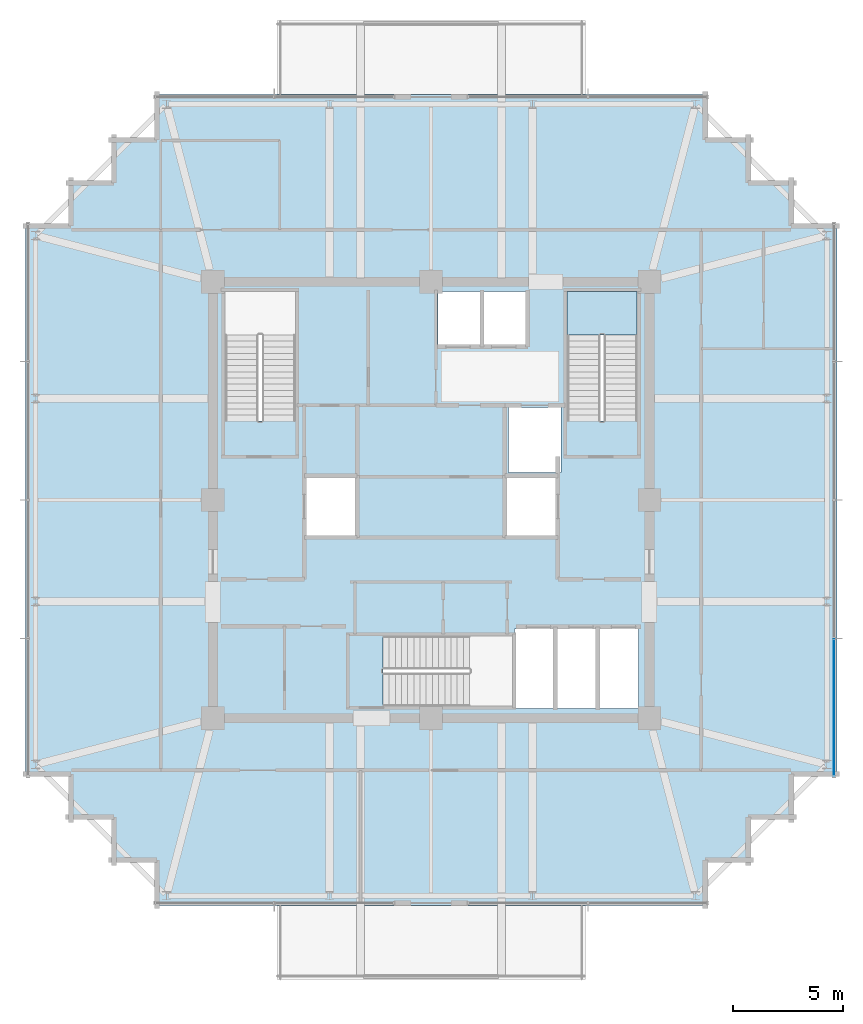
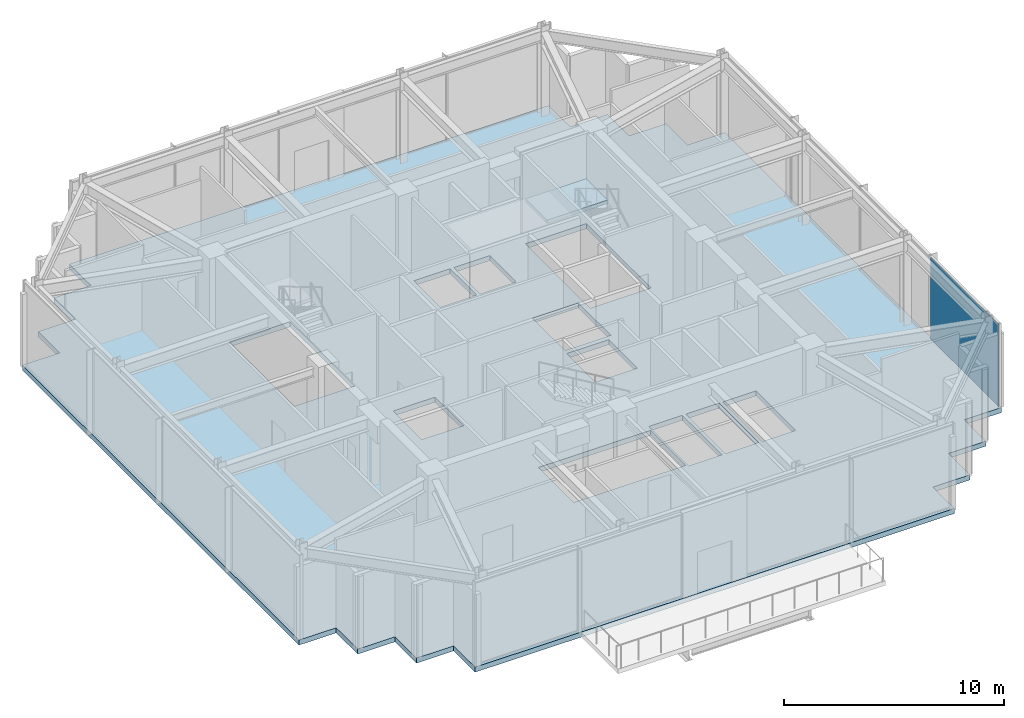
# One storey, part 24 of 31: 2 slabs, 1 plate, 2 elements without a shape of their own.
"""IFC4 building model written with IfcOpenShell, lengths in metres."""

from ifc_helpers import new_model, si_unit, direction, frame, origin, origin_2d, place, context, subcontext, project, spatial, polyline, rectangle, outline, extrude, material, layer, layer_set, type_object, element, aggregate, save


model = new_model("IFC4")

# Units and contexts
model_context = context("Model", 3, precision=1e-05, world=origin(), true_north=direction((0.0, 1.0)))
body_context = subcontext(model_context, "Body", "Model", "MODEL_VIEW")
ifc_project = project(units=[si_unit("LENGTHUNIT", "METRE"), si_unit("AREAUNIT", "SQUARE_METRE"), si_unit("VOLUMEUNIT", "CUBIC_METRE"), si_unit("PLANEANGLEUNIT", "RADIAN"), si_unit("MASSUNIT", "GRAM", prefix="KILO")], contexts=[model_context])

# Site, building, storey
site_placement = place(None, origin())
site = spatial("IfcSite", under=ifc_project, at=site_placement, CompositionType="ELEMENT")
building_placement = place(site_placement, origin())
building = spatial("IfcBuilding", under=site, at=building_placement, Name="Kolvaren Belvedere", CompositionType="ELEMENT")
storey_placement = place(building_placement, frame((0.0, 0.0, 267.39990234375)))
storey = spatial("IfcBuildingStorey", under=building, at=storey_placement, Name="L77", CompositionType="ELEMENT", Elevation=267.39990234375)

# Curtain wall, plate
ifc_material_1 = material(Name="Anodised pale-metal aluminium AA 6063-T6", Category="aluminium")
curtain_wall_type = type_object("IfcCurtainWallType", Name="CW-CRN-OBS", PredefinedType="NOTDEFINED", material=ifc_material_1)
curtain_wall_placement = place(storey_placement, origin())
curtain_wall = element("IfcCurtainWall", 1, at=curtain_wall_placement, inside=storey, type_object=curtain_wall_type, Name="L77 Unitised Curtain Wall FCW-L77-E", PredefinedType="NOTDEFINED")
ifc_material_2 = material(Name="Low-iron laminated vision glass", Category="glass")
ifc_layer_1 = layer(ifc_material_2, 0.031982421875)
ifc_layer_set_1 = layer_set([ifc_layer_1], Name="Low-iron laminated vision glass")
plate_type = type_object("IfcPlateType", Name="CW-PNL-VIS32", PredefinedType="CURTAIN_PANEL", material=ifc_layer_set_1)
plate_placement = place(storey_placement, frame((18.280029296875, -9.41259765625, 0.080078125), z_axis=(0.0, 0.0, 1.0), x_axis=(0.0, -1.0, 0.0)))
plate = element("IfcPlate", 2, at=plate_placement, type_object=plate_type, Name="FCW-L77-E Vision Glazing Panel 4", PredefinedType="CURTAIN_PANEL", context=body_context, shape_type="SweptSolid", body=[
    extrude(rectangle(XDim=6.195068359375, YDim=0.031982421875, at=origin_2d()), origin(), (0.0, 0.0, 1.0), 4.5400390625),
])
aggregate(curtain_wall, [plate])

# Slab
ifc_material_3 = material(Name="Concrete C50/60", Category="concrete")
ifc_layer_2 = layer(ifc_material_3, 0.280029296875)
ifc_layer_set_2 = layer_set([ifc_layer_2], Name="Concrete C50/60")
slab_type_1 = type_object("IfcSlabType", Name="SL-FLR-280", PredefinedType="FLOOR", material=ifc_layer_set_2)
slab_1_placement = place(storey_placement, frame((0.0, 0.0, -0.27978515625)))
element("IfcSlab", 3, at=slab_1_placement, inside=storey, type_object=slab_type_1, Name="L77 Primary Structural Slab", PredefinedType="FLOOR", context=body_context, shape_type="SweptSolid", body=[
    extrude(outline(polyline([(-12.550048828125, -18.39990234375), (12.550048828125, -18.39990234375), (12.550048828125, -16.449951171875), (14.5, -16.449951171875), (14.5, -14.5), (16.449951171875, -14.5), (16.449951171875, -12.550048828125), (18.39990234375, -12.550048828125), (18.39990234375, 12.550048828125), (16.449951171875, 12.550048828125), (16.449951171875, 14.5), (14.5, 14.5), (14.5, 16.449951171875), (12.550048828125, 16.449951171875), (12.550048828125, 18.39990234375), (-12.550048828125, 18.39990234375), (-12.550048828125, 16.449951171875), (-14.5, 16.449951171875), (-14.5, 14.5), (-16.449951171875, 14.5), (-16.449951171875, 12.550048828125), (-18.39990234375, 12.550048828125), (-18.39990234375, -12.550048828125), (-16.449951171875, -12.550048828125), (-16.449951171875, -14.5), (-14.5, -14.5), (-14.5, -16.449951171875), (-12.550048828125, -16.449951171875), (-12.550048828125, -18.39990234375)]), holes=[polyline([(-9.35009765625, 3.580078125), (-6.159912109375, 3.580078125), (-6.159912109375, 9.449951171875), (-9.35009765625, 9.449951171875), (-9.35009765625, 3.580078125)]), polyline([(6.159912109375, 3.580078125), (9.35009765625, 3.580078125), (9.35009765625, 9.449951171875), (6.159912109375, 9.449951171875), (6.159912109375, 3.580078125)]), polyline([(-2.169921875, -9.35009765625), (3.699951171875, -9.35009765625), (3.699951171875, -6.159912109375), (-2.169921875, -6.159912109375), (-2.169921875, -9.35009765625)]), polyline([(-5.64990234375, -1.60009765625), (-3.449951171875, -1.60009765625), (-3.449951171875, 1.0), (-5.64990234375, 1.0), (-5.64990234375, -1.60009765625)]), polyline([(3.5, 1.25), (5.89990234375, 1.25), (5.89990234375, 4.199951171875), (3.5, 4.199951171875), (3.5, 1.25)]), polyline([(3.449951171875, -1.60009765625), (5.64990234375, -1.60009765625), (5.64990234375, 1.0), (3.449951171875, 1.0), (3.449951171875, -1.60009765625)]), polyline([(3.7900390625, -9.449951171875), (5.5400390625, -9.449951171875), (5.5400390625, -5.85009765625), (3.7900390625, -5.85009765625), (3.7900390625, -9.449951171875)]), polyline([(5.719970703125, -9.449951171875), (7.469970703125, -9.449951171875), (7.469970703125, -5.85009765625), (5.719970703125, -5.85009765625), (5.719970703125, -9.449951171875)]), polyline([(7.64990234375, -9.449951171875), (9.39990234375, -9.449951171875), (9.39990234375, -5.85009765625), (7.64990234375, -5.85009765625), (7.64990234375, -9.449951171875)]), polyline([(0.320068359375, 7.050048828125), (2.219970703125, 7.050048828125), (2.219970703125, 9.449951171875), (0.320068359375, 9.449951171875), (0.320068359375, 7.050048828125)]), polyline([(2.39990234375, 7.050048828125), (4.300048828125, 7.050048828125), (4.300048828125, 9.449951171875), (2.39990234375, 9.449951171875), (2.39990234375, 7.050048828125)])]), origin(), (0.0, 0.0, 1.0), 0.27978515625),
])

# Stair, slab
ifc_material_4 = material(Name="Concrete C50/60", Category="concrete")
stair_type = type_object("IfcStairType", Name="ST-CORE-1520", PredefinedType="HALF_TURN_STAIR", material=ifc_material_4)
stair_placement = place(storey_placement, origin())
stair = element("IfcStair", 4, at=stair_placement, inside=storey, type_object=stair_type, Name="L77 Protected Exit Stair ST-2", PredefinedType="HALF_TURN_STAIR")
ifc_material_5 = material(Name="Concrete C50/60", Category="concrete")
ifc_layer_3 = layer(ifc_material_5, 0.260009765625)
ifc_layer_set_3 = layer_set([ifc_layer_3], Name="Concrete C50/60")
slab_type_2 = type_object("IfcSlabType", Name="SL-LAND-260", PredefinedType="LANDING", material=ifc_layer_set_3)
slab_2_placement = place(storey_placement, frame((0.0, 0.0, 2.300048828125)))
slab_2 = element("IfcSlab", 5, at=slab_2_placement, type_object=slab_type_2, Name="ST-2 landing 1", PredefinedType="LANDING", context=body_context, shape_type="SweptSolid", body=[
    extrude(outline(polyline([(9.35009765625, 7.489990234375), (9.35009765625, 9.449951171875), (6.159912109375, 9.449951171875), (6.159912109375, 7.489990234375), (9.35009765625, 7.489990234375)])), origin(), (0.0, 0.0, 1.0), 0.199951171875),
])
aggregate(stair, [slab_2])

save(model, "model.ifc")
